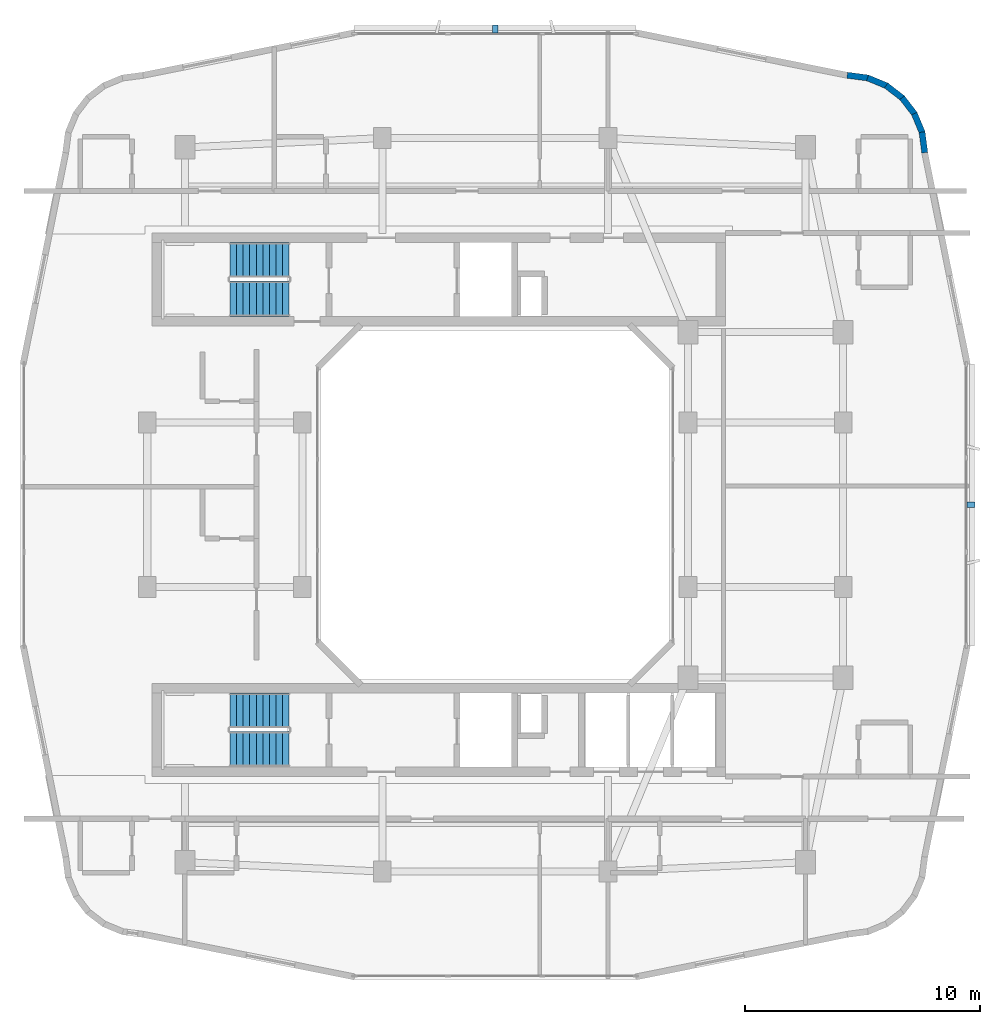
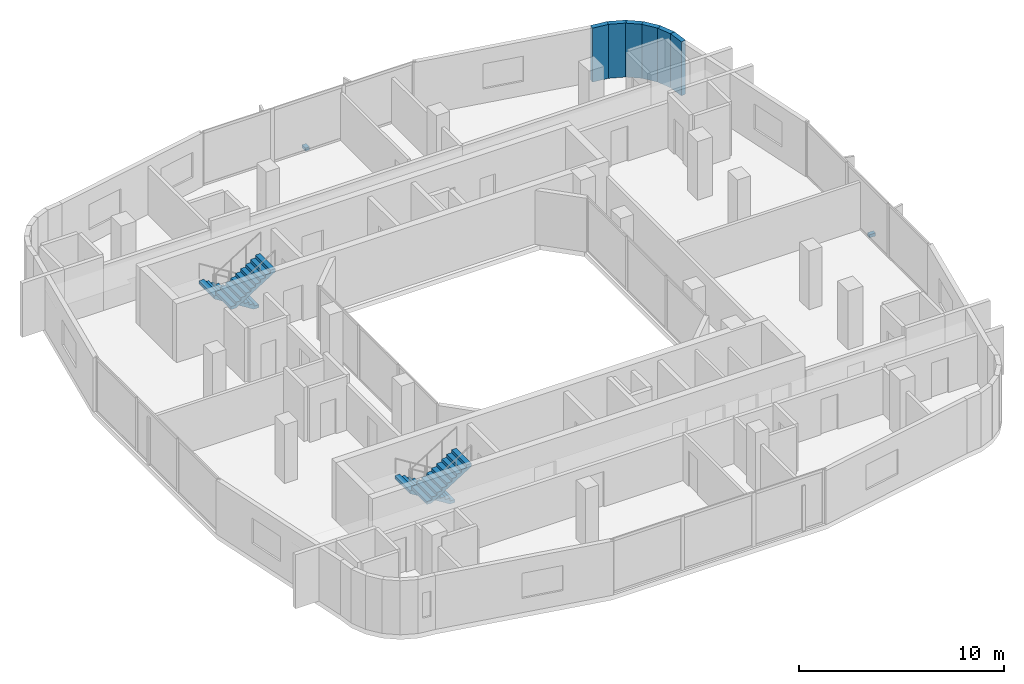
# One storey, part 10 of 14: 6 walls, 4 stair flights, 2 discrete accessories, 2 elements without a shape of their own.
"""IFC4 building model written with IfcOpenShell, lengths in metres."""

from ifc_helpers import new_model, si_unit, derived_unit, direction, frame, frame_2d, origin, origin_2d, place, context, subcontext, project, spatial, polyline, rectangle, outline, extrude, material, layer, layer_set, type_object, element, aggregate, save


model = new_model("IFC4")

# Units and contexts
model_context = context("Model", 3, precision=1e-05, world=origin(), true_north=direction((0.0, 1.0)))
body_context = subcontext(model_context, "Body", "Model", "MODEL_VIEW")
ifc_project = project(units=[si_unit("LENGTHUNIT", "METRE"), si_unit("AREAUNIT", "SQUARE_METRE"), si_unit("VOLUMEUNIT", "CUBIC_METRE"), si_unit("PLANEANGLEUNIT", "RADIAN"), si_unit("MASSUNIT", "GRAM", prefix="KILO"), derived_unit("THERMALTRANSMITTANCEUNIT", [(si_unit("POWERUNIT", "WATT"), 1), (si_unit("LENGTHUNIT", "METRE"), -2), (si_unit("THERMODYNAMICTEMPERATUREUNIT", "KELVIN"), -1)])], contexts=[model_context])

# Site, building, storey
site_placement = place(None, origin())
site = spatial("IfcSite", under=ifc_project, at=site_placement, CompositionType="ELEMENT")
building_placement = place(site_placement, origin())
building = spatial("IfcBuilding", under=site, at=building_placement, Name="Kivonza Crest Hotel", CompositionType="ELEMENT")
storey_placement = place(building_placement, frame((0.0, 0.0, 138.0)))
storey = spatial("IfcBuildingStorey", under=building, at=storey_placement, Name="L37", CompositionType="ELEMENT", Elevation=138.0)

# Walls
ifc_material_1 = material(Name="Precast concrete C40/50", Category="concrete")
ifc_layer = layer(ifc_material_1, 0.260009765625)
ifc_layer_set = layer_set([ifc_layer], Name="Precast concrete C40/50")
wall_type = type_object("IfcWallType", Name="WL-EXT-260", PredefinedType="STANDARD", material=ifc_layer_set)
wall_1_placement = place(storey_placement, frame((39.27197265625, 39.97509765625, 0.0), z_axis=(0.0, 0.0, 1.0), x_axis=(-0.130953706898, 0.991388484223, 0.0)))
element("IfcWall", 1, at=wall_1_placement, inside=storey, type_object=wall_type, Name="L37 T1 exterior insulated wall 19", PredefinedType="STANDARD", context=body_context, shape_type="SweptSolid", body=[
    extrude(rectangle(XDim=0.885498046875, YDim=0.260009765625, at=frame_2d((0.44287109375, 0.0))), origin(), (0.0, 0.0, 1.0), 3.219970703125),
])
wall_2_placement = place(storey_placement, frame((39.174072265625, 40.806884765625, 0.0), z_axis=(0.0, 0.0, 1.0), x_axis=(-0.383290660547, 0.923627776508, 0.0)))
element("IfcWall", 2, at=wall_2_placement, inside=storey, type_object=wall_type, Name="L37 T1 exterior insulated wall 20", PredefinedType="STANDARD", context=body_context, shape_type="SweptSolid", body=[
    extrude(rectangle(XDim=0.9033203125, YDim=0.260009765625, at=frame_2d((0.45166015625, 0.0))), origin(), (0.0, 0.0, 1.0), 3.219970703125),
])
wall_3_placement = place(storey_placement, frame((38.85595703125, 41.60107421875, 0.0), z_axis=(0.0, 0.0, 1.0), x_axis=(-0.608624690463, 0.793458244748, 0.0)))
element("IfcWall", 3, at=wall_3_placement, inside=storey, type_object=wall_type, Name="L37 T1 exterior insulated wall 21", PredefinedType="STANDARD", context=body_context, shape_type="SweptSolid", body=[
    extrude(rectangle(XDim=0.902099609375, YDim=0.260009765625, at=frame_2d((0.451171875, 0.0))), origin(), (0.0, 0.0, 1.0), 3.219970703125),
])
wall_4_placement = place(storey_placement, frame((38.344970703125, 42.285888671875, 0.0), z_axis=(0.0, 0.0, 1.0), x_axis=(-0.793558456666, 0.608494022858, 0.0)))
element("IfcWall", 4, at=wall_4_placement, inside=storey, type_object=wall_type, Name="L37 T1 exterior insulated wall 22", PredefinedType="STANDARD", context=body_context, shape_type="SweptSolid", body=[
    extrude(rectangle(XDim=0.90234375, YDim=0.260009765625, at=frame_2d((0.451171875, 0.0))), origin(), (0.0, 0.0, 1.0), 3.219970703125),
])
wall_5_placement = place(storey_placement, frame((37.673095703125, 42.81396484375, 0.0), z_axis=(0.0, 0.0, 1.0), x_axis=(-0.923683767999, 0.383155708213, 0.0)))
element("IfcWall", 5, at=wall_5_placement, inside=storey, type_object=wall_type, Name="L37 T1 exterior insulated wall 23", PredefinedType="STANDARD", context=body_context, shape_type="SweptSolid", body=[
    extrude(rectangle(XDim=0.90283203125, YDim=0.260009765625, at=frame_2d((0.451416015625, 0.0))), origin(), (0.0, 0.0, 1.0), 3.219970703125),
])
wall_6_placement = place(storey_placement, frame((36.887939453125, 43.152099609375, 0.0), z_axis=(0.0, 0.0, 1.0), x_axis=(-0.991487658083, 0.130200706103, 0.0)))
element("IfcWall", 6, at=wall_6_placement, inside=storey, type_object=wall_type, Name="L37 T1 exterior insulated wall 24", PredefinedType="STANDARD", context=body_context, shape_type="SweptSolid", body=[
    extrude(rectangle(XDim=0.920654296875, YDim=0.260009765625, at=frame_2d((0.46044921875, 0.0))), origin(), (0.0, 0.0, 1.0), 3.219970703125),
])

# Stair, stair flights
ifc_material_2 = material(Name="Concrete C40/50", Category="concrete")
stair_type = type_object("IfcStairType", Name="ST-DL-20R", PredefinedType="HALF_TURN_STAIR", material=ifc_material_2)
stair_1_placement = place(storey_placement, origin())
stair_1 = element("IfcStair", 7, at=stair_1_placement, inside=storey, type_object=stair_type, Name="L37 Protected Exit Stair ST-T1-N", PredefinedType="HALF_TURN_STAIR")
stair_flight_type = type_object("IfcStairFlightType", Name="SFL-RC-10R", PredefinedType="STRAIGHT", material=ifc_material_2)
stair_flight_1_placement = place(storey_placement, frame((12.239990234375, 35.409912109375, 0.0), z_axis=(0.0, 0.0, 1.0), x_axis=(-1.0, 0.0, 0.0)))
stair_flight_1 = element("IfcStairFlight", 8, at=stair_flight_1_placement, type_object=stair_flight_type, Name="ST-T1-N flight 1", NumberOfRisers=10, NumberOfTreads=9, PredefinedType="STRAIGHT", RiserHeight=0.175, TreadLength=0.28, context=body_context, shape_type="SweptSolid", body=[
    extrude(outline(polyline([(0.0, 0.0), (0.0, 0.175048828125), (0.280029296875, 0.175048828125), (0.280029296875, 0.35009765625), (0.56005859375, 0.35009765625), (0.56005859375, 0.52490234375), (0.840087890625, 0.52490234375), (0.840087890625, 0.699951171875), (1.1201171875, 0.699951171875), (1.1201171875, 0.875), (1.39990234375, 0.875), (1.39990234375, 1.050048828125), (1.679931640625, 1.050048828125), (1.679931640625, 1.22509765625), (1.9599609375, 1.22509765625), (1.9599609375, 1.39990234375), (2.239990234375, 1.39990234375), (2.239990234375, 1.574951171875), (2.52001953125, 1.574951171875), (2.52001953125, 1.75), (2.52001953125, 1.398193359375), (0.28271484375, 0.0), (0.0, 0.0)])), frame((0.0, 0.75, 0.0), z_axis=(0.0, -1.0, 0.0), x_axis=(1.0, 0.0, 0.0)), (0.0, 0.0, 1.0), 1.5),
])
stair_flight_2_placement = place(storey_placement, frame((9.719970703125, 33.77001953125, 1.75), z_axis=(0.0, 0.0, 1.0), x_axis=(1.0, 0.0, 0.0)))
stair_flight_2 = element("IfcStairFlight", 9, at=stair_flight_2_placement, type_object=stair_flight_type, Name="ST-T1-N flight 2", NumberOfRisers=10, NumberOfTreads=9, PredefinedType="STRAIGHT", RiserHeight=0.175, TreadLength=0.28, context=body_context, shape_type="SweptSolid", body=[
    extrude(outline(polyline([(0.0, 0.0), (0.0, 0.175048828125), (0.280029296875, 0.175048828125), (0.280029296875, 0.35009765625), (0.56005859375, 0.35009765625), (0.56005859375, 0.52490234375), (0.840087890625, 0.52490234375), (0.840087890625, 0.699951171875), (1.1201171875, 0.699951171875), (1.1201171875, 0.875), (1.39990234375, 0.875), (1.39990234375, 1.050048828125), (1.679931640625, 1.050048828125), (1.679931640625, 1.22509765625), (1.9599609375, 1.22509765625), (1.9599609375, 1.39990234375), (2.239990234375, 1.39990234375), (2.239990234375, 1.574951171875), (2.52001953125, 1.574951171875), (2.52001953125, 1.75), (2.52001953125, 1.398193359375), (0.28271484375, 0.0), (0.0, 0.0)])), frame((0.0, 0.75, 0.0), z_axis=(0.0, -1.0, 0.0), x_axis=(1.0, 0.0, 0.0)), (0.0, 0.0, 1.0), 1.5),
])
aggregate(stair_1, [stair_flight_1, stair_flight_2])

stair_2_placement = place(storey_placement, origin())
stair_2 = element("IfcStair", 10, at=stair_2_placement, inside=storey, type_object=stair_type, Name="L37 Protected Exit Stair ST-T1-S", PredefinedType="HALF_TURN_STAIR")
stair_flight_3_placement = place(storey_placement, frame((12.239990234375, 16.25, 0.0), z_axis=(0.0, 0.0, 1.0), x_axis=(-1.0, 0.0, 0.0)))
stair_flight_3 = element("IfcStairFlight", 11, at=stair_flight_3_placement, type_object=stair_flight_type, Name="ST-T1-S flight 1", NumberOfRisers=10, NumberOfTreads=9, PredefinedType="STRAIGHT", RiserHeight=0.175, TreadLength=0.28, context=body_context, shape_type="SweptSolid", body=[
    extrude(outline(polyline([(0.0, 0.0), (0.0, 0.175048828125), (0.280029296875, 0.175048828125), (0.280029296875, 0.35009765625), (0.56005859375, 0.35009765625), (0.56005859375, 0.52490234375), (0.840087890625, 0.52490234375), (0.840087890625, 0.699951171875), (1.1201171875, 0.699951171875), (1.1201171875, 0.875), (1.39990234375, 0.875), (1.39990234375, 1.050048828125), (1.679931640625, 1.050048828125), (1.679931640625, 1.22509765625), (1.9599609375, 1.22509765625), (1.9599609375, 1.39990234375), (2.239990234375, 1.39990234375), (2.239990234375, 1.574951171875), (2.52001953125, 1.574951171875), (2.52001953125, 1.75), (2.52001953125, 1.398193359375), (0.28271484375, 0.0), (0.0, 0.0)])), frame((0.0, 0.75, 0.0), z_axis=(0.0, -1.0, 0.0), x_axis=(1.0, 0.0, 0.0)), (0.0, 0.0, 1.0), 1.5),
])
stair_flight_4_placement = place(storey_placement, frame((9.719970703125, 14.610107421875, 1.75), z_axis=(0.0, 0.0, 1.0), x_axis=(1.0, 0.0, 0.0)))
stair_flight_4 = element("IfcStairFlight", 12, at=stair_flight_4_placement, type_object=stair_flight_type, Name="ST-T1-S flight 2", NumberOfRisers=10, NumberOfTreads=9, PredefinedType="STRAIGHT", RiserHeight=0.175, TreadLength=0.28, context=body_context, shape_type="SweptSolid", body=[
    extrude(outline(polyline([(0.0, 0.0), (0.0, 0.175048828125), (0.280029296875, 0.175048828125), (0.280029296875, 0.35009765625), (0.56005859375, 0.35009765625), (0.56005859375, 0.52490234375), (0.840087890625, 0.52490234375), (0.840087890625, 0.699951171875), (1.1201171875, 0.699951171875), (1.1201171875, 0.875), (1.39990234375, 0.875), (1.39990234375, 1.050048828125), (1.679931640625, 1.050048828125), (1.679931640625, 1.22509765625), (1.9599609375, 1.22509765625), (1.9599609375, 1.39990234375), (2.239990234375, 1.39990234375), (2.239990234375, 1.574951171875), (2.52001953125, 1.574951171875), (2.52001953125, 1.75), (2.52001953125, 1.398193359375), (0.28271484375, 0.0), (0.0, 0.0)])), frame((0.0, 0.75, 0.0), z_axis=(0.0, -1.0, 0.0), x_axis=(1.0, 0.0, 0.0)), (0.0, 0.0, 1.0), 1.5),
])
aggregate(stair_2, [stair_flight_3, stair_flight_4])

# Discrete accessories
ifc_material_3 = material(Name="Stainless steel 316", Category="steel")
discrete_accessory_type = type_object("IfcDiscreteAccessoryType", Name="AC-BRACKET-240", PredefinedType="BRACKET", material=ifc_material_3)
for number, where, z_axis, x_axis, name in (
    (13, (41.239990234375, 25.0, -0.009765625), (0.0, 0.0, 1.0), (0.0, 1.0, 0.0), "L37 terracotta baguette support bracket CW-T1-L37-17"),
    (14, (21.0, 45.239990234375, -0.009765625), (0.0, 0.0, 1.0), (-1.0, 0.0, 0.0), "L37 terracotta baguette support bracket CW-T1-L37-26"),
):
    element("IfcDiscreteAccessory", number, at=place(storey_placement, frame(where, z_axis=z_axis, x_axis=x_axis)), inside=storey, type_object=discrete_accessory_type, Name=name, PredefinedType="BRACKET", context=body_context, shape_type="SweptSolid", body=[
        extrude(rectangle(XDim=0.219970703125, YDim=0.340087890625, at=origin_2d()), origin(), (0.0, 0.0, 1.0), 0.179931640625),
    ])

save(model, "model.ifc")
